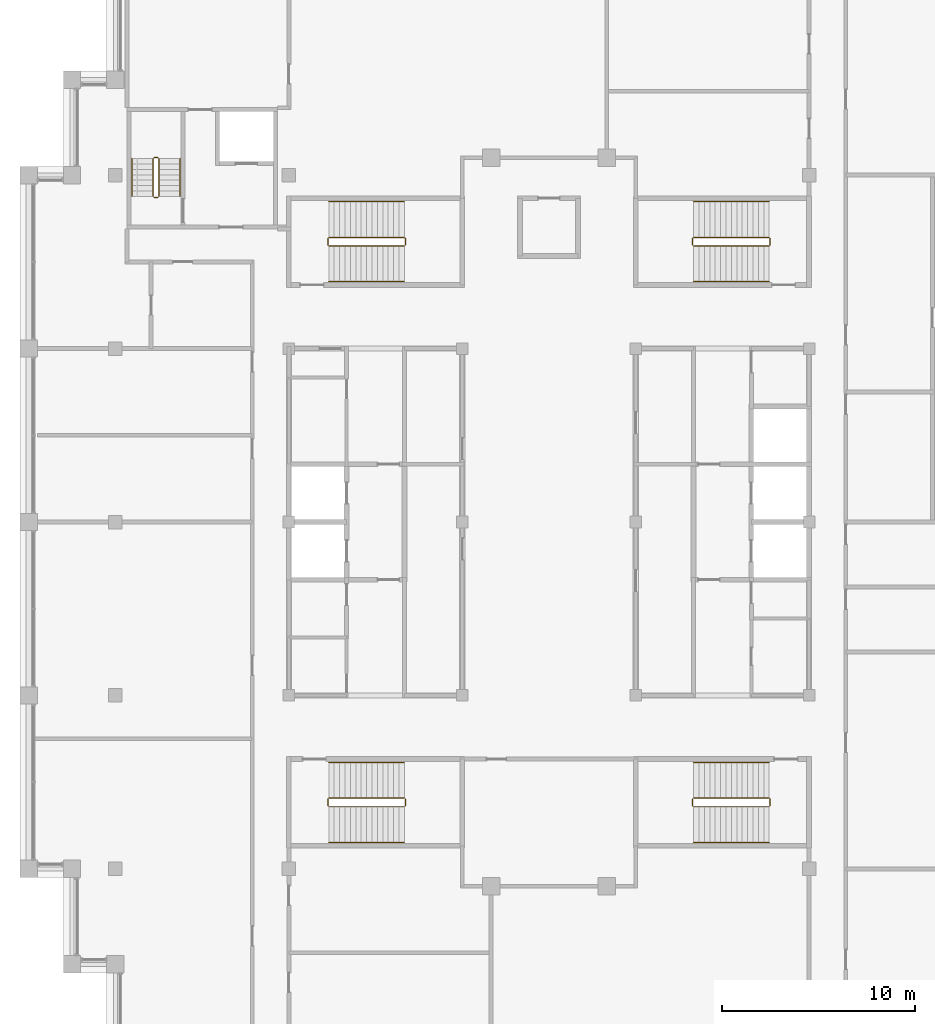
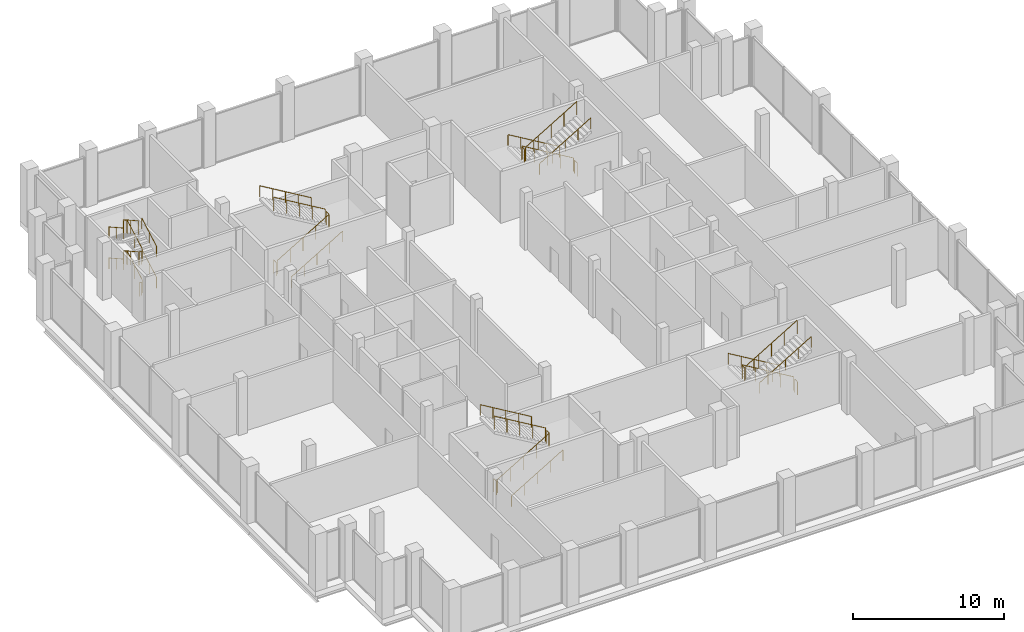
# One storey, part 13 of 13: 5 railings.
"""IFC4 building model written with IfcOpenShell, lengths in metres."""

from ifc_helpers import new_model, si_unit, direction, frame, origin, origin_2d, place, context, subcontext, project, spatial, circle, extrude, material, type_object, element, save


model = new_model("IFC4")

# Units and contexts
model_context = context("Model", 3, precision=1e-05, world=origin(), true_north=direction((0.0, 1.0)))
body_context = subcontext(model_context, "Body", "Model", "MODEL_VIEW")
ifc_project = project(units=[si_unit("LENGTHUNIT", "METRE"), si_unit("AREAUNIT", "SQUARE_METRE"), si_unit("VOLUMEUNIT", "CUBIC_METRE"), si_unit("PLANEANGLEUNIT", "RADIAN"), si_unit("MASSUNIT", "GRAM", prefix="KILO")], contexts=[model_context])

# Site, building, storey
site_placement = place(None, origin())
site = spatial("IfcSite", under=ifc_project, at=site_placement, CompositionType="ELEMENT")
building_placement = place(site_placement, origin())
building = spatial("IfcBuilding", under=site, at=building_placement, Name="Corbelhall Arena Tower", CompositionType="ELEMENT")
storey_placement = place(building_placement, frame((0.0, 0.0, 361.0)))
storey = spatial("IfcBuildingStorey", under=building, at=storey_placement, Name="L79", CompositionType="ELEMENT", Elevation=361.0)

# Railings
ifc_material = material(Name="Steel ASTM A500 Gr C", Category="steel")
railing_type = type_object("IfcRailingType", Name="IN-GD-1100", PredefinedType="GUARDRAIL", material=ifc_material)
railing_1_placement = place(storey_placement, frame((-11.425048828125, 14.324951171875, 0.166748046875)))
element("IfcRailing", 1, at=railing_1_placement, inside=storey, type_object=railing_type, Name="L79 ST1 stair guards and handrails", PredefinedType="GUARDRAIL", context=body_context, shape_type="SweptSolid", body=[
    extrude(circle(Radius=0.02392578125, at=origin_2d()), frame((0.0, 0.0, 1.076171875), z_axis=(0.859310244771, 0.0, 0.511454693235), x_axis=(0.0, 1.0, 0.0)), (0.0, 0.0, 1.0), 4.56201171875),
    extrude(circle(Radius=0.02392578125, at=origin_2d()), frame((3.969970703125, 0.050048828125, 3.4091796875), z_axis=(0.0, 1.0, 0.0), x_axis=(-1.0, 0.0, 0.0)), (0.0, 0.0, 1.0), 0.35009765625),
    extrude(circle(Radius=0.02392578125, at=origin_2d()), frame((3.920166015625, 0.449951171875, 3.576171875), z_axis=(-0.859310244771, 0.0, 0.511454693235), x_axis=(0.0, -1.0, 0.0)), (0.0, 0.0, 1.0), 4.56201171875),
    extrude(circle(Radius=0.02392578125, at=origin_2d()), frame((-0.050048828125, 0.050048828125, 0.9091796875), z_axis=(0.0, 1.0, 0.0), x_axis=(-1.0, 0.0, 0.0)), (0.0, 0.0, 1.0), 0.35009765625),
    extrude(circle(Radius=0.02392578125, at=origin_2d()), frame((0.0, -1.849853515625, 0.8759765625), z_axis=(0.859310244771, 0.0, 0.511454693235), x_axis=(0.0, 1.0, 0.0)), (0.0, 0.0, 1.0), 4.56201171875),
    extrude(circle(Radius=0.02392578125, at=origin_2d()), frame((3.920166015625, 2.300048828125, 3.3759765625), z_axis=(-0.859310244771, 0.0, 0.511454693235), x_axis=(0.0, -1.0, 0.0)), (0.0, 0.0, 1.0), 4.56201171875),
    extrude(circle(Radius=0.02099609375, at=origin_2d()), origin(), (0.0, 0.0, 1.0), 1.052001953125),
    extrude(circle(Radius=0.02099609375, at=origin_2d()), frame((0.97998046875, 0.0, 0.583251953125)), (0.0, 0.0, 1.0), 1.052001953125),
    extrude(circle(Radius=0.02099609375, at=origin_2d()), frame((1.9599609375, 0.0, 1.16650390625)), (0.0, 0.0, 1.0), 1.052001953125),
    extrude(circle(Radius=0.02099609375, at=origin_2d()), frame((2.940185546875, 0.0, 1.75)), (0.0, 0.0, 1.0), 1.052001953125),
    extrude(circle(Radius=0.02099609375, at=origin_2d()), frame((3.920166015625, 0.0, 2.333251953125)), (0.0, 0.0, 1.0), 1.052001953125),
    extrude(circle(Radius=0.02099609375, at=origin_2d()), frame((3.969970703125, 0.050048828125, 2.333251953125)), (0.0, 0.0, 1.0), 1.052001953125),
    extrude(circle(Radius=0.02099609375, at=origin_2d()), frame((3.969970703125, 0.400146484375, 2.333251953125)), (0.0, 0.0, 1.0), 1.052001953125),
    extrude(circle(Radius=0.02099609375, at=origin_2d()), frame((3.920166015625, 0.449951171875, 2.5)), (0.0, 0.0, 1.0), 1.052001953125),
    extrude(circle(Radius=0.02099609375, at=origin_2d()), frame((2.940185546875, 0.449951171875, 3.083251953125)), (0.0, 0.0, 1.0), 1.052001953125),
    extrude(circle(Radius=0.02099609375, at=origin_2d()), frame((1.9599609375, 0.449951171875, 3.66650390625)), (0.0, 0.0, 1.0), 1.052001953125),
    extrude(circle(Radius=0.02099609375, at=origin_2d()), frame((0.97998046875, 0.449951171875, 4.25)), (0.0, 0.0, 1.0), 1.052001953125),
    extrude(circle(Radius=0.02099609375, at=origin_2d()), frame((0.0, 0.449951171875, 4.833251953125)), (0.0, 0.0, 1.0), 1.052001953125),
    extrude(circle(Radius=0.02099609375, at=origin_2d()), frame((-0.050048828125, 0.050048828125, -0.166748046875)), (0.0, 0.0, 1.0), 1.052001953125),
    extrude(circle(Radius=0.02099609375, at=origin_2d()), frame((-0.050048828125, 0.400146484375, -0.166748046875)), (0.0, 0.0, 1.0), 1.052001953125),
    extrude(circle(Radius=0.02099609375, at=origin_2d()), frame((0.0, -1.849853515625, 0.0)), (0.0, 0.0, 1.0), 0.851806640625),
    extrude(circle(Radius=0.02099609375, at=origin_2d()), frame((0.97998046875, -1.849853515625, 0.583251953125)), (0.0, 0.0, 1.0), 0.851806640625),
    extrude(circle(Radius=0.02099609375, at=origin_2d()), frame((1.9599609375, -1.849853515625, 1.16650390625)), (0.0, 0.0, 1.0), 0.851806640625),
    extrude(circle(Radius=0.02099609375, at=origin_2d()), frame((2.940185546875, -1.849853515625, 1.75)), (0.0, 0.0, 1.0), 0.851806640625),
    extrude(circle(Radius=0.02099609375, at=origin_2d()), frame((3.920166015625, -1.849853515625, 2.333251953125)), (0.0, 0.0, 1.0), 0.851806640625),
    extrude(circle(Radius=0.02099609375, at=origin_2d()), frame((3.920166015625, 2.300048828125, 2.5)), (0.0, 0.0, 1.0), 0.851806640625),
    extrude(circle(Radius=0.02099609375, at=origin_2d()), frame((2.940185546875, 2.300048828125, 3.083251953125)), (0.0, 0.0, 1.0), 0.851806640625),
    extrude(circle(Radius=0.02099609375, at=origin_2d()), frame((1.9599609375, 2.300048828125, 3.66650390625)), (0.0, 0.0, 1.0), 0.851806640625),
    extrude(circle(Radius=0.02099609375, at=origin_2d()), frame((0.97998046875, 2.300048828125, 4.25)), (0.0, 0.0, 1.0), 0.851806640625),
    extrude(circle(Radius=0.02099609375, at=origin_2d()), frame((0.0, 2.300048828125, 4.833251953125)), (0.0, 0.0, 1.0), 0.851806640625),
])
railing_2_placement = place(storey_placement, frame((-11.425048828125, -14.77490234375, 0.166748046875)))
element("IfcRailing", 2, at=railing_2_placement, inside=storey, type_object=railing_type, Name="L79 ST2 stair guards and handrails", PredefinedType="GUARDRAIL", context=body_context, shape_type="SweptSolid", body=[
    extrude(circle(Radius=0.02392578125, at=origin_2d()), frame((0.0, 0.0, 1.076171875), z_axis=(0.859310244771, 0.0, 0.511454693235), x_axis=(0.0, 1.0, 0.0)), (0.0, 0.0, 1.0), 4.56201171875),
    extrude(circle(Radius=0.02392578125, at=origin_2d()), frame((3.969970703125, 0.0498046875, 3.4091796875), z_axis=(0.0, 1.0, 0.0), x_axis=(-1.0, 0.0, 0.0)), (0.0, 0.0, 1.0), 0.35009765625),
    extrude(circle(Radius=0.02392578125, at=origin_2d()), frame((3.920166015625, 0.449951171875, 3.576171875), z_axis=(-0.859310244771, 0.0, 0.511454693235), x_axis=(0.0, -1.0, 0.0)), (0.0, 0.0, 1.0), 4.56201171875),
    extrude(circle(Radius=0.02392578125, at=origin_2d()), frame((-0.050048828125, 0.0498046875, 0.9091796875), z_axis=(0.0, 1.0, 0.0), x_axis=(-1.0, 0.0, 0.0)), (0.0, 0.0, 1.0), 0.35009765625),
    extrude(circle(Radius=0.02392578125, at=origin_2d()), frame((0.0, -1.85009765625, 0.8759765625), z_axis=(0.859310244771, 0.0, 0.511454693235), x_axis=(0.0, 1.0, 0.0)), (0.0, 0.0, 1.0), 4.56201171875),
    extrude(circle(Radius=0.02392578125, at=origin_2d()), frame((3.920166015625, 2.2998046875, 3.3759765625), z_axis=(-0.859310244771, 0.0, 0.511454693235), x_axis=(0.0, -1.0, 0.0)), (0.0, 0.0, 1.0), 4.56201171875),
    extrude(circle(Radius=0.02099609375, at=origin_2d()), origin(), (0.0, 0.0, 1.0), 1.052001953125),
    extrude(circle(Radius=0.02099609375, at=origin_2d()), frame((0.97998046875, 0.0, 0.583251953125)), (0.0, 0.0, 1.0), 1.052001953125),
    extrude(circle(Radius=0.02099609375, at=origin_2d()), frame((1.9599609375, 0.0, 1.16650390625)), (0.0, 0.0, 1.0), 1.052001953125),
    extrude(circle(Radius=0.02099609375, at=origin_2d()), frame((2.940185546875, 0.0, 1.75)), (0.0, 0.0, 1.0), 1.052001953125),
    extrude(circle(Radius=0.02099609375, at=origin_2d()), frame((3.920166015625, 0.0, 2.333251953125)), (0.0, 0.0, 1.0), 1.052001953125),
    extrude(circle(Radius=0.02099609375, at=origin_2d()), frame((3.969970703125, 0.0498046875, 2.333251953125)), (0.0, 0.0, 1.0), 1.052001953125),
    extrude(circle(Radius=0.02099609375, at=origin_2d()), frame((3.969970703125, 0.39990234375, 2.333251953125)), (0.0, 0.0, 1.0), 1.052001953125),
    extrude(circle(Radius=0.02099609375, at=origin_2d()), frame((3.920166015625, 0.449951171875, 2.5)), (0.0, 0.0, 1.0), 1.052001953125),
    extrude(circle(Radius=0.02099609375, at=origin_2d()), frame((2.940185546875, 0.449951171875, 3.083251953125)), (0.0, 0.0, 1.0), 1.052001953125),
    extrude(circle(Radius=0.02099609375, at=origin_2d()), frame((1.9599609375, 0.449951171875, 3.66650390625)), (0.0, 0.0, 1.0), 1.052001953125),
    extrude(circle(Radius=0.02099609375, at=origin_2d()), frame((0.97998046875, 0.449951171875, 4.25)), (0.0, 0.0, 1.0), 1.052001953125),
    extrude(circle(Radius=0.02099609375, at=origin_2d()), frame((0.0, 0.449951171875, 4.833251953125)), (0.0, 0.0, 1.0), 1.052001953125),
    extrude(circle(Radius=0.02099609375, at=origin_2d()), frame((-0.050048828125, 0.0498046875, -0.166748046875)), (0.0, 0.0, 1.0), 1.052001953125),
    extrude(circle(Radius=0.02099609375, at=origin_2d()), frame((-0.050048828125, 0.39990234375, -0.166748046875)), (0.0, 0.0, 1.0), 1.052001953125),
    extrude(circle(Radius=0.02099609375, at=origin_2d()), frame((0.0, -1.85009765625, 0.0)), (0.0, 0.0, 1.0), 0.851806640625),
    extrude(circle(Radius=0.02099609375, at=origin_2d()), frame((0.97998046875, -1.85009765625, 0.583251953125)), (0.0, 0.0, 1.0), 0.851806640625),
    extrude(circle(Radius=0.02099609375, at=origin_2d()), frame((1.9599609375, -1.85009765625, 1.16650390625)), (0.0, 0.0, 1.0), 0.851806640625),
    extrude(circle(Radius=0.02099609375, at=origin_2d()), frame((2.940185546875, -1.85009765625, 1.75)), (0.0, 0.0, 1.0), 0.851806640625),
    extrude(circle(Radius=0.02099609375, at=origin_2d()), frame((3.920166015625, -1.85009765625, 2.333251953125)), (0.0, 0.0, 1.0), 0.851806640625),
    extrude(circle(Radius=0.02099609375, at=origin_2d()), frame((3.920166015625, 2.2998046875, 2.5)), (0.0, 0.0, 1.0), 0.851806640625),
    extrude(circle(Radius=0.02099609375, at=origin_2d()), frame((2.940185546875, 2.2998046875, 3.083251953125)), (0.0, 0.0, 1.0), 0.851806640625),
    extrude(circle(Radius=0.02099609375, at=origin_2d()), frame((1.9599609375, 2.2998046875, 3.66650390625)), (0.0, 0.0, 1.0), 0.851806640625),
    extrude(circle(Radius=0.02099609375, at=origin_2d()), frame((0.97998046875, 2.2998046875, 4.25)), (0.0, 0.0, 1.0), 0.851806640625),
    extrude(circle(Radius=0.02099609375, at=origin_2d()), frame((0.0, 2.2998046875, 4.833251953125)), (0.0, 0.0, 1.0), 0.851806640625),
])
railing_3_placement = place(storey_placement, frame((11.425048828125, 14.77490234375, 0.166748046875)))
element("IfcRailing", 3, at=railing_3_placement, inside=storey, type_object=railing_type, Name="L79 ST3 stair guards and handrails", PredefinedType="GUARDRAIL", context=body_context, shape_type="SweptSolid", body=[
    extrude(circle(Radius=0.02392578125, at=origin_2d()), frame((0.0, 0.0, 1.076171875), z_axis=(-0.859310244771, 0.0, 0.511454693235), x_axis=(0.0, -1.0, 0.0)), (0.0, 0.0, 1.0), 4.56201171875),
    extrude(circle(Radius=0.02392578125, at=origin_2d()), frame((-3.969970703125, -0.0498046875, 3.4091796875), z_axis=(0.0, -1.0, 0.0), x_axis=(1.0, 0.0, 0.0)), (0.0, 0.0, 1.0), 0.35009765625),
    extrude(circle(Radius=0.02392578125, at=origin_2d()), frame((-3.920166015625, -0.449951171875, 3.576171875), z_axis=(0.859310244771, 0.0, 0.511454693235), x_axis=(0.0, 1.0, 0.0)), (0.0, 0.0, 1.0), 4.56201171875),
    extrude(circle(Radius=0.02392578125, at=origin_2d()), frame((0.050048828125, -0.0498046875, 0.9091796875), z_axis=(0.0, -1.0, 0.0), x_axis=(1.0, 0.0, 0.0)), (0.0, 0.0, 1.0), 0.35009765625),
    extrude(circle(Radius=0.02392578125, at=origin_2d()), frame((0.0, 1.85009765625, 0.8759765625), z_axis=(-0.859310244771, 0.0, 0.511454693235), x_axis=(0.0, -1.0, 0.0)), (0.0, 0.0, 1.0), 4.56201171875),
    extrude(circle(Radius=0.02392578125, at=origin_2d()), frame((-3.920166015625, -2.2998046875, 3.3759765625), z_axis=(0.859310244771, 0.0, 0.511454693235), x_axis=(0.0, 1.0, 0.0)), (0.0, 0.0, 1.0), 4.56201171875),
    extrude(circle(Radius=0.02099609375, at=origin_2d()), origin(), (0.0, 0.0, 1.0), 1.052001953125),
    extrude(circle(Radius=0.02099609375, at=origin_2d()), frame((-0.97998046875, 0.0, 0.583251953125)), (0.0, 0.0, 1.0), 1.052001953125),
    extrude(circle(Radius=0.02099609375, at=origin_2d()), frame((-1.9599609375, 0.0, 1.16650390625)), (0.0, 0.0, 1.0), 1.052001953125),
    extrude(circle(Radius=0.02099609375, at=origin_2d()), frame((-2.940185546875, 0.0, 1.75)), (0.0, 0.0, 1.0), 1.052001953125),
    extrude(circle(Radius=0.02099609375, at=origin_2d()), frame((-3.920166015625, 0.0, 2.333251953125)), (0.0, 0.0, 1.0), 1.052001953125),
    extrude(circle(Radius=0.02099609375, at=origin_2d()), frame((-3.969970703125, -0.0498046875, 2.333251953125)), (0.0, 0.0, 1.0), 1.052001953125),
    extrude(circle(Radius=0.02099609375, at=origin_2d()), frame((-3.969970703125, -0.39990234375, 2.333251953125)), (0.0, 0.0, 1.0), 1.052001953125),
    extrude(circle(Radius=0.02099609375, at=origin_2d()), frame((-3.920166015625, -0.449951171875, 2.5)), (0.0, 0.0, 1.0), 1.052001953125),
    extrude(circle(Radius=0.02099609375, at=origin_2d()), frame((-2.940185546875, -0.449951171875, 3.083251953125)), (0.0, 0.0, 1.0), 1.052001953125),
    extrude(circle(Radius=0.02099609375, at=origin_2d()), frame((-1.9599609375, -0.449951171875, 3.66650390625)), (0.0, 0.0, 1.0), 1.052001953125),
    extrude(circle(Radius=0.02099609375, at=origin_2d()), frame((-0.97998046875, -0.449951171875, 4.25)), (0.0, 0.0, 1.0), 1.052001953125),
    extrude(circle(Radius=0.02099609375, at=origin_2d()), frame((0.0, -0.449951171875, 4.833251953125)), (0.0, 0.0, 1.0), 1.052001953125),
    extrude(circle(Radius=0.02099609375, at=origin_2d()), frame((0.050048828125, -0.0498046875, -0.166748046875)), (0.0, 0.0, 1.0), 1.052001953125),
    extrude(circle(Radius=0.02099609375, at=origin_2d()), frame((0.050048828125, -0.39990234375, -0.166748046875)), (0.0, 0.0, 1.0), 1.052001953125),
    extrude(circle(Radius=0.02099609375, at=origin_2d()), frame((0.0, 1.85009765625, 0.0)), (0.0, 0.0, 1.0), 0.851806640625),
    extrude(circle(Radius=0.02099609375, at=origin_2d()), frame((-0.97998046875, 1.85009765625, 0.583251953125)), (0.0, 0.0, 1.0), 0.851806640625),
    extrude(circle(Radius=0.02099609375, at=origin_2d()), frame((-1.9599609375, 1.85009765625, 1.16650390625)), (0.0, 0.0, 1.0), 0.851806640625),
    extrude(circle(Radius=0.02099609375, at=origin_2d()), frame((-2.940185546875, 1.85009765625, 1.75)), (0.0, 0.0, 1.0), 0.851806640625),
    extrude(circle(Radius=0.02099609375, at=origin_2d()), frame((-3.920166015625, 1.85009765625, 2.333251953125)), (0.0, 0.0, 1.0), 0.851806640625),
    extrude(circle(Radius=0.02099609375, at=origin_2d()), frame((-3.920166015625, -2.2998046875, 2.5)), (0.0, 0.0, 1.0), 0.851806640625),
    extrude(circle(Radius=0.02099609375, at=origin_2d()), frame((-2.940185546875, -2.2998046875, 3.083251953125)), (0.0, 0.0, 1.0), 0.851806640625),
    extrude(circle(Radius=0.02099609375, at=origin_2d()), frame((-1.9599609375, -2.2998046875, 3.66650390625)), (0.0, 0.0, 1.0), 0.851806640625),
    extrude(circle(Radius=0.02099609375, at=origin_2d()), frame((-0.97998046875, -2.2998046875, 4.25)), (0.0, 0.0, 1.0), 0.851806640625),
    extrude(circle(Radius=0.02099609375, at=origin_2d()), frame((0.0, -2.2998046875, 4.833251953125)), (0.0, 0.0, 1.0), 0.851806640625),
])
railing_4_placement = place(storey_placement, frame((11.425048828125, -14.324951171875, 0.166748046875)))
element("IfcRailing", 4, at=railing_4_placement, inside=storey, type_object=railing_type, Name="L79 ST4 stair guards and handrails", PredefinedType="GUARDRAIL", context=body_context, shape_type="SweptSolid", body=[
    extrude(circle(Radius=0.02392578125, at=origin_2d()), frame((0.0, 0.0, 1.076171875), z_axis=(-0.859310244771, 0.0, 0.511454693235), x_axis=(0.0, -1.0, 0.0)), (0.0, 0.0, 1.0), 4.56201171875),
    extrude(circle(Radius=0.02392578125, at=origin_2d()), frame((-3.969970703125, -0.050048828125, 3.4091796875), z_axis=(0.0, -1.0, 0.0), x_axis=(1.0, 0.0, 0.0)), (0.0, 0.0, 1.0), 0.35009765625),
    extrude(circle(Radius=0.02392578125, at=origin_2d()), frame((-3.920166015625, -0.449951171875, 3.576171875), z_axis=(0.859310244771, 0.0, 0.511454693235), x_axis=(0.0, 1.0, 0.0)), (0.0, 0.0, 1.0), 4.56201171875),
    extrude(circle(Radius=0.02392578125, at=origin_2d()), frame((0.050048828125, -0.050048828125, 0.9091796875), z_axis=(0.0, -1.0, 0.0), x_axis=(1.0, 0.0, 0.0)), (0.0, 0.0, 1.0), 0.35009765625),
    extrude(circle(Radius=0.02392578125, at=origin_2d()), frame((0.0, 1.849853515625, 0.8759765625), z_axis=(-0.859310244771, 0.0, 0.511454693235), x_axis=(0.0, -1.0, 0.0)), (0.0, 0.0, 1.0), 4.56201171875),
    extrude(circle(Radius=0.02392578125, at=origin_2d()), frame((-3.920166015625, -2.300048828125, 3.3759765625), z_axis=(0.859310244771, 0.0, 0.511454693235), x_axis=(0.0, 1.0, 0.0)), (0.0, 0.0, 1.0), 4.56201171875),
    extrude(circle(Radius=0.02099609375, at=origin_2d()), origin(), (0.0, 0.0, 1.0), 1.052001953125),
    extrude(circle(Radius=0.02099609375, at=origin_2d()), frame((-0.97998046875, 0.0, 0.583251953125)), (0.0, 0.0, 1.0), 1.052001953125),
    extrude(circle(Radius=0.02099609375, at=origin_2d()), frame((-1.9599609375, 0.0, 1.16650390625)), (0.0, 0.0, 1.0), 1.052001953125),
    extrude(circle(Radius=0.02099609375, at=origin_2d()), frame((-2.940185546875, 0.0, 1.75)), (0.0, 0.0, 1.0), 1.052001953125),
    extrude(circle(Radius=0.02099609375, at=origin_2d()), frame((-3.920166015625, 0.0, 2.333251953125)), (0.0, 0.0, 1.0), 1.052001953125),
    extrude(circle(Radius=0.02099609375, at=origin_2d()), frame((-3.969970703125, -0.050048828125, 2.333251953125)), (0.0, 0.0, 1.0), 1.052001953125),
    extrude(circle(Radius=0.02099609375, at=origin_2d()), frame((-3.969970703125, -0.400146484375, 2.333251953125)), (0.0, 0.0, 1.0), 1.052001953125),
    extrude(circle(Radius=0.02099609375, at=origin_2d()), frame((-3.920166015625, -0.449951171875, 2.5)), (0.0, 0.0, 1.0), 1.052001953125),
    extrude(circle(Radius=0.02099609375, at=origin_2d()), frame((-2.940185546875, -0.449951171875, 3.083251953125)), (0.0, 0.0, 1.0), 1.052001953125),
    extrude(circle(Radius=0.02099609375, at=origin_2d()), frame((-1.9599609375, -0.449951171875, 3.66650390625)), (0.0, 0.0, 1.0), 1.052001953125),
    extrude(circle(Radius=0.02099609375, at=origin_2d()), frame((-0.97998046875, -0.449951171875, 4.25)), (0.0, 0.0, 1.0), 1.052001953125),
    extrude(circle(Radius=0.02099609375, at=origin_2d()), frame((0.0, -0.449951171875, 4.833251953125)), (0.0, 0.0, 1.0), 1.052001953125),
    extrude(circle(Radius=0.02099609375, at=origin_2d()), frame((0.050048828125, -0.050048828125, -0.166748046875)), (0.0, 0.0, 1.0), 1.052001953125),
    extrude(circle(Radius=0.02099609375, at=origin_2d()), frame((0.050048828125, -0.400146484375, -0.166748046875)), (0.0, 0.0, 1.0), 1.052001953125),
    extrude(circle(Radius=0.02099609375, at=origin_2d()), frame((0.0, 1.849853515625, 0.0)), (0.0, 0.0, 1.0), 0.851806640625),
    extrude(circle(Radius=0.02099609375, at=origin_2d()), frame((-0.97998046875, 1.849853515625, 0.583251953125)), (0.0, 0.0, 1.0), 0.851806640625),
    extrude(circle(Radius=0.02099609375, at=origin_2d()), frame((-1.9599609375, 1.849853515625, 1.16650390625)), (0.0, 0.0, 1.0), 0.851806640625),
    extrude(circle(Radius=0.02099609375, at=origin_2d()), frame((-2.940185546875, 1.849853515625, 1.75)), (0.0, 0.0, 1.0), 0.851806640625),
    extrude(circle(Radius=0.02099609375, at=origin_2d()), frame((-3.920166015625, 1.849853515625, 2.333251953125)), (0.0, 0.0, 1.0), 0.851806640625),
    extrude(circle(Radius=0.02099609375, at=origin_2d()), frame((-3.920166015625, -2.300048828125, 2.5)), (0.0, 0.0, 1.0), 0.851806640625),
    extrude(circle(Radius=0.02099609375, at=origin_2d()), frame((-2.940185546875, -2.300048828125, 3.083251953125)), (0.0, 0.0, 1.0), 0.851806640625),
    extrude(circle(Radius=0.02099609375, at=origin_2d()), frame((-1.9599609375, -2.300048828125, 3.66650390625)), (0.0, 0.0, 1.0), 0.851806640625),
    extrude(circle(Radius=0.02099609375, at=origin_2d()), frame((-0.97998046875, -2.300048828125, 4.25)), (0.0, 0.0, 1.0), 0.851806640625),
    extrude(circle(Radius=0.02099609375, at=origin_2d()), frame((0.0, -2.300048828125, 4.833251953125)), (0.0, 0.0, 1.0), 0.851806640625),
])
railing_5_placement = place(storey_placement, frame((-20.2451171875, 16.89990234375, 0.15625)))
element("IfcRailing", 5, at=railing_5_placement, inside=storey, type_object=railing_type, Name="L79 ST5 stair guards and handrails", PredefinedType="GUARDRAIL", context=body_context, shape_type="SweptSolid", body=[
    extrude(circle(Radius=0.02392578125, at=origin_2d()), frame((0.0, 0.0, 1.076171875), z_axis=(0.0, 0.873257974695, 0.487258155017), x_axis=(-1.0, 0.0, 0.0)), (0.0, 0.0, 1.0), 2.24462890625),
    extrude(circle(Radius=0.02392578125, at=origin_2d()), frame((-0.0498046875, 2.010009765625, 2.169921875), z_axis=(-1.0, 0.0, 0.0), x_axis=(0.0, -1.0, 0.0)), (0.0, 0.0, 1.0), 0.2001953125),
    extrude(circle(Radius=0.02392578125, at=origin_2d()), frame((-0.2998046875, 1.960205078125, 2.326171875), z_axis=(0.0, -0.873257974695, 0.487258155017), x_axis=(1.0, 0.0, 0.0)), (0.0, 0.0, 1.0), 2.24462890625),
    extrude(circle(Radius=0.02392578125, at=origin_2d()), frame((-0.0498046875, -0.0498046875, 3.419921875), z_axis=(-1.0, 0.0, 0.0), x_axis=(0.0, -1.0, 0.0)), (0.0, 0.0, 1.0), 0.2001953125),
    extrude(circle(Radius=0.02392578125, at=origin_2d()), frame((0.0, 0.0, 3.576171875), z_axis=(0.0, 0.873257974695, 0.487258155017), x_axis=(-1.0, 0.0, 0.0)), (0.0, 0.0, 1.0), 2.24462890625),
    extrude(circle(Radius=0.02392578125, at=origin_2d()), frame((-0.0498046875, 2.010009765625, 4.669921875), z_axis=(-1.0, 0.0, 0.0), x_axis=(0.0, -1.0, 0.0)), (0.0, 0.0, 1.0), 0.2001953125),
    extrude(circle(Radius=0.02392578125, at=origin_2d()), frame((-0.2998046875, 1.960205078125, 4.826171875), z_axis=(0.0, -0.873257974695, 0.487258155017), x_axis=(1.0, 0.0, 0.0)), (0.0, 0.0, 1.0), 2.24462890625),
    extrude(circle(Radius=0.02392578125, at=origin_2d()), frame((-0.0498046875, -0.0498046875, 0.919921875), z_axis=(-1.0, 0.0, 0.0), x_axis=(0.0, -1.0, 0.0)), (0.0, 0.0, 1.0), 0.2001953125),
    extrude(circle(Radius=0.02392578125, at=origin_2d()), frame((1.10009765625, 0.0, 0.8759765625), z_axis=(0.0, 0.873257974695, 0.487258155017), x_axis=(-1.0, 0.0, 0.0)), (0.0, 0.0, 1.0), 2.24462890625),
    extrude(circle(Radius=0.02392578125, at=origin_2d()), frame((-1.39990234375, 1.960205078125, 2.1259765625), z_axis=(0.0, -0.873257974695, 0.487258155017), x_axis=(1.0, 0.0, 0.0)), (0.0, 0.0, 1.0), 2.24462890625),
    extrude(circle(Radius=0.02392578125, at=origin_2d()), frame((1.10009765625, 0.0, 3.3759765625), z_axis=(0.0, 0.873257974695, 0.487258155017), x_axis=(-1.0, 0.0, 0.0)), (0.0, 0.0, 1.0), 2.24462890625),
    extrude(circle(Radius=0.02392578125, at=origin_2d()), frame((-1.39990234375, 1.960205078125, 4.6259765625), z_axis=(0.0, -0.873257974695, 0.487258155017), x_axis=(1.0, 0.0, 0.0)), (0.0, 0.0, 1.0), 2.24462890625),
    extrude(circle(Radius=0.02099609375, at=origin_2d()), origin(), (0.0, 0.0, 1.0), 1.052001953125),
    extrude(circle(Radius=0.02099609375, at=origin_2d()), frame((0.0, 0.97998046875, 0.546875)), (0.0, 0.0, 1.0), 1.052001953125),
    extrude(circle(Radius=0.02099609375, at=origin_2d()), frame((0.0, 1.960205078125, 1.09375)), (0.0, 0.0, 1.0), 1.052001953125),
    extrude(circle(Radius=0.02099609375, at=origin_2d()), frame((-0.0498046875, 2.010009765625, 1.09375)), (0.0, 0.0, 1.0), 1.052001953125),
    extrude(circle(Radius=0.02099609375, at=origin_2d()), frame((-0.25, 2.010009765625, 1.09375)), (0.0, 0.0, 1.0), 1.052001953125),
    extrude(circle(Radius=0.02099609375, at=origin_2d()), frame((-0.2998046875, 1.960205078125, 1.25)), (0.0, 0.0, 1.0), 1.052001953125),
    extrude(circle(Radius=0.02099609375, at=origin_2d()), frame((-0.2998046875, 0.97998046875, 1.796875)), (0.0, 0.0, 1.0), 1.052001953125),
    extrude(circle(Radius=0.02099609375, at=origin_2d()), frame((-0.2998046875, 0.0, 2.34375)), (0.0, 0.0, 1.0), 1.052001953125),
    extrude(circle(Radius=0.02099609375, at=origin_2d()), frame((-0.0498046875, -0.0498046875, 2.34375)), (0.0, 0.0, 1.0), 1.052001953125),
    extrude(circle(Radius=0.02099609375, at=origin_2d()), frame((-0.25, -0.0498046875, 2.34375)), (0.0, 0.0, 1.0), 1.052001953125),
    extrude(circle(Radius=0.02099609375, at=origin_2d()), frame((0.0, 0.0, 2.5)), (0.0, 0.0, 1.0), 1.052001953125),
    extrude(circle(Radius=0.02099609375, at=origin_2d()), frame((0.0, 0.97998046875, 3.046875)), (0.0, 0.0, 1.0), 1.052001953125),
    extrude(circle(Radius=0.02099609375, at=origin_2d()), frame((0.0, 1.960205078125, 3.59375)), (0.0, 0.0, 1.0), 1.052001953125),
    extrude(circle(Radius=0.02099609375, at=origin_2d()), frame((-0.0498046875, 2.010009765625, 3.59375)), (0.0, 0.0, 1.0), 1.052001953125),
    extrude(circle(Radius=0.02099609375, at=origin_2d()), frame((-0.25, 2.010009765625, 3.59375)), (0.0, 0.0, 1.0), 1.052001953125),
    extrude(circle(Radius=0.02099609375, at=origin_2d()), frame((-0.2998046875, 1.960205078125, 3.75)), (0.0, 0.0, 1.0), 1.052001953125),
    extrude(circle(Radius=0.02099609375, at=origin_2d()), frame((-0.2998046875, 0.97998046875, 4.296875)), (0.0, 0.0, 1.0), 1.052001953125),
    extrude(circle(Radius=0.02099609375, at=origin_2d()), frame((-0.2998046875, 0.0, 4.84375)), (0.0, 0.0, 1.0), 1.052001953125),
    extrude(circle(Radius=0.02099609375, at=origin_2d()), frame((-0.0498046875, -0.0498046875, -0.15625)), (0.0, 0.0, 1.0), 1.052001953125),
    extrude(circle(Radius=0.02099609375, at=origin_2d()), frame((-0.25, -0.0498046875, -0.15625)), (0.0, 0.0, 1.0), 1.052001953125),
    extrude(circle(Radius=0.02099609375, at=origin_2d()), frame((1.10009765625, 0.0, 0.0)), (0.0, 0.0, 1.0), 0.851806640625),
    extrude(circle(Radius=0.02099609375, at=origin_2d()), frame((1.10009765625, 0.97998046875, 0.546875)), (0.0, 0.0, 1.0), 0.851806640625),
    extrude(circle(Radius=0.02099609375, at=origin_2d()), frame((1.10009765625, 1.960205078125, 1.09375)), (0.0, 0.0, 1.0), 0.851806640625),
    extrude(circle(Radius=0.02099609375, at=origin_2d()), frame((-1.39990234375, 1.960205078125, 1.25)), (0.0, 0.0, 1.0), 0.851806640625),
    extrude(circle(Radius=0.02099609375, at=origin_2d()), frame((-1.39990234375, 0.97998046875, 1.796875)), (0.0, 0.0, 1.0), 0.851806640625),
    extrude(circle(Radius=0.02099609375, at=origin_2d()), frame((-1.39990234375, 0.0, 2.34375)), (0.0, 0.0, 1.0), 0.851806640625),
    extrude(circle(Radius=0.02099609375, at=origin_2d()), frame((1.10009765625, 0.0, 2.5)), (0.0, 0.0, 1.0), 0.851806640625),
    extrude(circle(Radius=0.02099609375, at=origin_2d()), frame((1.10009765625, 0.97998046875, 3.046875)), (0.0, 0.0, 1.0), 0.851806640625),
    extrude(circle(Radius=0.02099609375, at=origin_2d()), frame((1.10009765625, 1.960205078125, 3.59375)), (0.0, 0.0, 1.0), 0.851806640625),
    extrude(circle(Radius=0.02099609375, at=origin_2d()), frame((-1.39990234375, 1.960205078125, 3.75)), (0.0, 0.0, 1.0), 0.851806640625),
    extrude(circle(Radius=0.02099609375, at=origin_2d()), frame((-1.39990234375, 0.97998046875, 4.296875)), (0.0, 0.0, 1.0), 0.851806640625),
    extrude(circle(Radius=0.02099609375, at=origin_2d()), frame((-1.39990234375, 0.0, 4.84375)), (0.0, 0.0, 1.0), 0.851806640625),
])

save(model, "model.ifc")
